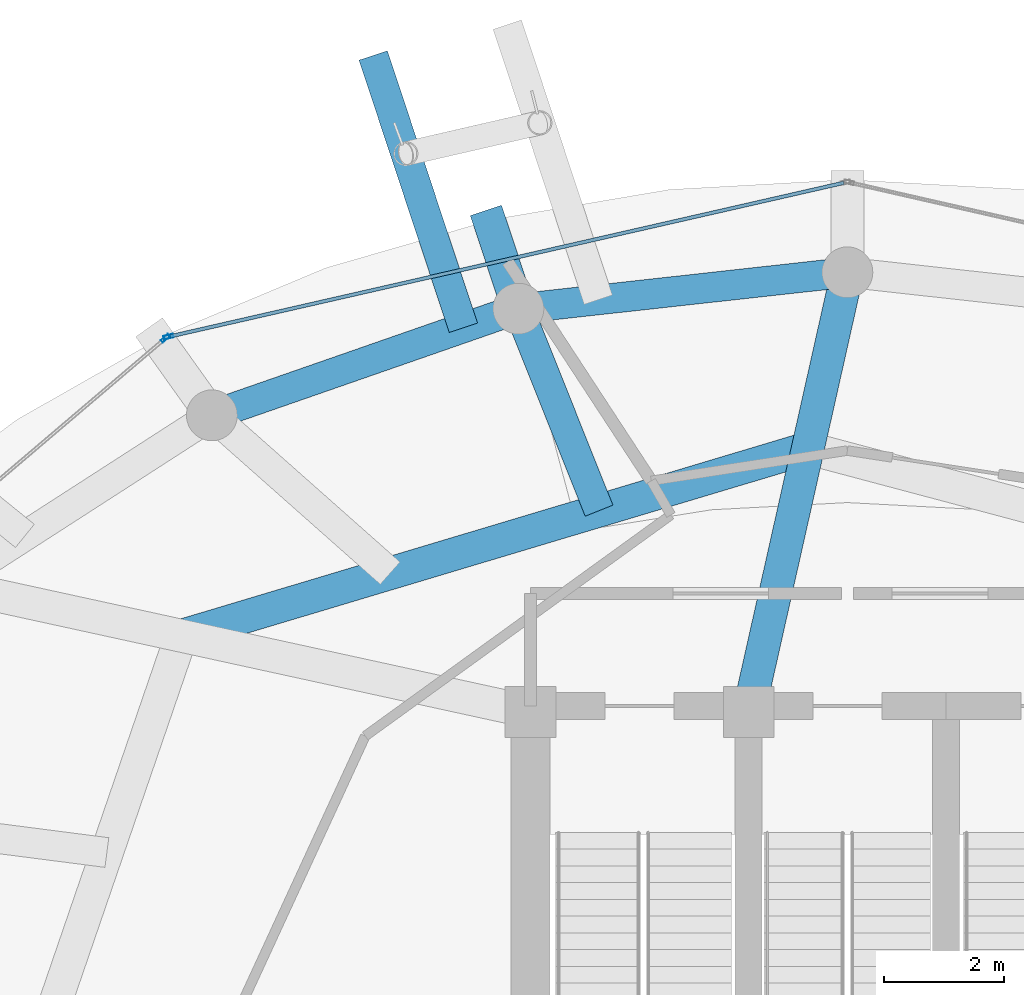
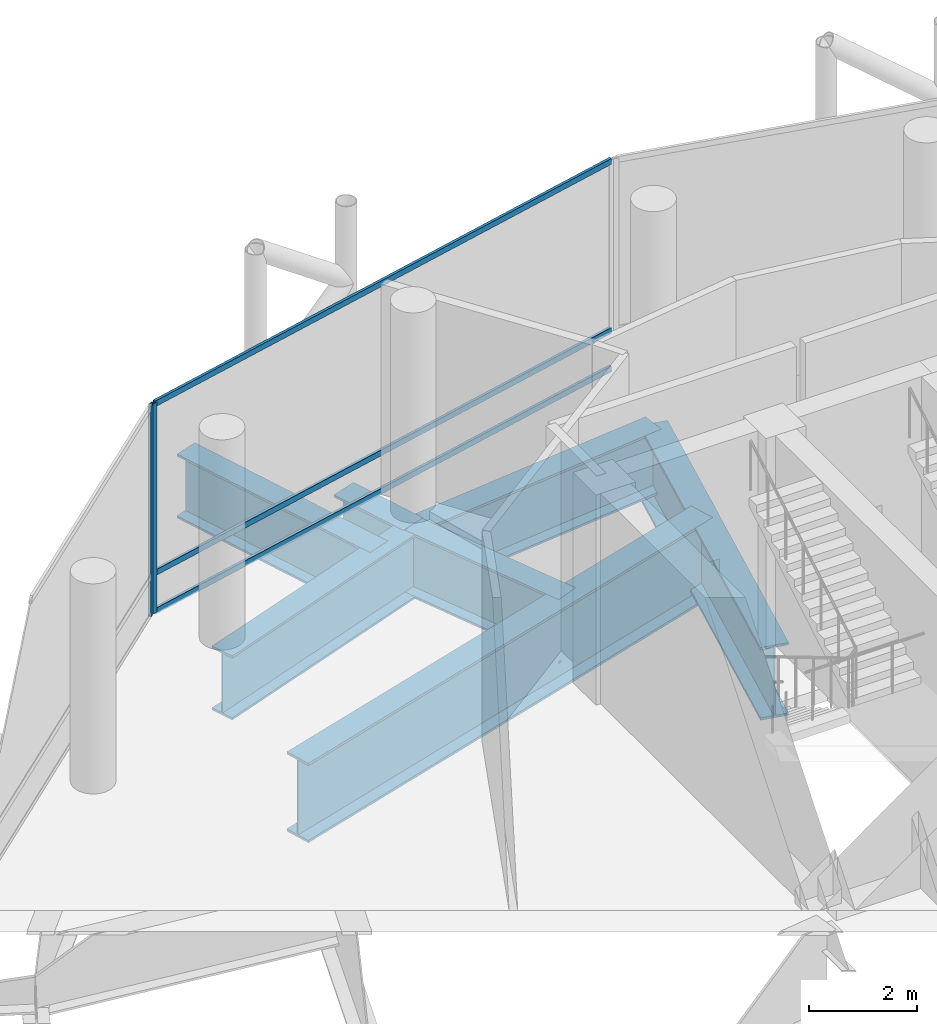
# One storey, part 18 of 31: 7 beams, 5 members, 2 elements without a shape of their own.
"""IFC4 building model written with IfcOpenShell, lengths in metres."""

from ifc_helpers import new_model, si_unit, direction, frame, origin, origin_2d, place, context, subcontext, project, spatial, hollow_rectangle, i_section, extrude, material, layer, layer_set, material_profile, profile_set, type_object, element, aggregate, save


model = new_model("IFC4")

# Units and contexts
model_context = context("Model", 3, precision=1e-05, world=origin(), true_north=direction((0.0, 1.0)))
body_context = subcontext(model_context, "Body", "Model", "MODEL_VIEW")
ifc_project = project(units=[si_unit("LENGTHUNIT", "METRE"), si_unit("AREAUNIT", "SQUARE_METRE"), si_unit("VOLUMEUNIT", "CUBIC_METRE"), si_unit("PLANEANGLEUNIT", "RADIAN"), si_unit("MASSUNIT", "GRAM", prefix="KILO")], contexts=[model_context])

# Site, building, storey
site_placement = place(None, origin())
site = spatial("IfcSite", under=ifc_project, at=site_placement, CompositionType="ELEMENT")
building_placement = place(site_placement, origin())
building = spatial("IfcBuilding", under=site, at=building_placement, Name="Nuhasar Tower", CompositionType="ELEMENT")
storey_placement = place(building_placement, frame((0.0, 0.0, 203.14990234375)))
storey = spatial("IfcBuildingStorey", under=building, at=storey_placement, Name="L49", CompositionType="ELEMENT", Elevation=203.14990234375)

# Beams
ifc_material_1 = material(Name="Steel S460", Category="steel")
ifc_material_profile_1 = material_profile(ifc_material_1, i_section(OverallWidth=0.550048828125, OverallDepth=1.35009765625, WebThickness=0.028076171875, FlangeThickness=0.050048828125, at=origin_2d()), Name="PG1350X550")
ifc_profile_set_1 = profile_set([ifc_material_profile_1], Name="Steel S460")
beam_type_1 = type_object("IfcBeamType", Name="BM-XFER-PG1350", PredefinedType="USERDEFINED", material=ifc_profile_set_1)
beam_1_placement = place(storey_placement, frame((33.5, 44.0419921875, -0.994873046875), z_axis=(-0.313940053742, 0.949442806417, 0.0), x_axis=(-0.949442806417, -0.313940053742, 0.0)))
element("IfcBeam", 1, at=beam_1_placement, inside=storey, type_object=beam_type_1, Name="L49 Outer Column Step Transfer Girder 08", ObjectType="GIRDER", PredefinedType="USERDEFINED", context=body_context, shape_type="SweptSolid", body=[
    extrude(i_section(OverallWidth=0.550048828125, OverallDepth=1.35009765625, WebThickness=0.028076171875, FlangeThickness=0.050048828125, at=origin_2d()), origin(), (0.0, 0.0, 1.0), 1.7294921875),
])
ifc_material_profile_2 = material_profile(ifc_material_1, i_section(OverallWidth=0.5, OverallDepth=1.449951171875, WebThickness=0.028076171875, FlangeThickness=0.050048828125, at=origin_2d()), Name="PG1450X500")
ifc_profile_set_2 = profile_set([ifc_material_profile_2], Name="Steel S460")
beam_type_2 = type_object("IfcBeamType", Name="BM-XFER-PG1450", PredefinedType="USERDEFINED", material=ifc_profile_set_2)
beam_2_placement = place(storey_placement, frame((39.0, 44.64990234375, -1.044921875), z_axis=(-0.993947060915, -0.109860093292, 0.0), x_axis=(0.109860093292, -0.993947060915, 0.0)))
element("IfcBeam", 2, at=beam_2_placement, inside=storey, type_object=beam_type_2, Name="L49 Perimeter Ring Spandrel 07", ObjectType="GIRDER", PredefinedType="USERDEFINED", context=body_context, shape_type="SweptSolid", body=[
    extrude(i_section(OverallWidth=0.5, OverallDepth=1.449951171875, WebThickness=0.028076171875, FlangeThickness=0.050048828125, at=origin_2d()), origin(), (0.0, 0.0, 1.0), 5.533447265625),
])
beam_3_placement = place(storey_placement, frame((33.5, 44.0419921875, -1.044921875), z_axis=(-0.944476764686, -0.328578211342, 0.0), x_axis=(0.328578211342, -0.944476764686, 0.0)))
element("IfcBeam", 3, at=beam_3_placement, inside=storey, type_object=beam_type_2, Name="L49 Perimeter Ring Spandrel 08", ObjectType="GIRDER", PredefinedType="USERDEFINED", context=body_context, shape_type="SweptSolid", body=[
    extrude(i_section(OverallWidth=0.5, OverallDepth=1.449951171875, WebThickness=0.028076171875, FlangeThickness=0.050048828125, at=origin_2d()), origin(), (0.0, 0.0, 1.0), 5.42626953125),
])
beam_4_placement = place(storey_placement, frame((34.847900390625, 40.6640625, -1.044921875), z_axis=(-0.370615099734, 0.928786545902, 0.0), x_axis=(-0.928786545902, -0.370615099734, 0.0)))
element("IfcBeam", 4, at=beam_4_placement, inside=storey, type_object=beam_type_2, Name="L49 Inner Column Transfer Girder 08", ObjectType="GIRDER", PredefinedType="USERDEFINED", context=body_context, shape_type="SweptSolid", body=[
    extrude(i_section(OverallWidth=0.5, OverallDepth=1.449951171875, WebThickness=0.028076171875, FlangeThickness=0.050048828125, at=origin_2d()), origin(), (0.0, 0.0, 1.0), 3.636962890625),
])
beam_5_placement = place(storey_placement, frame((32.580078125, 43.721923828125, -1.044921875), z_axis=(-0.314364482033, 0.949302360914, 0.0), x_axis=(-0.949302360914, -0.314364482033, 0.0)))
element("IfcBeam", 5, at=beam_5_placement, inside=storey, type_object=beam_type_2, Name="L49 Exoskeleton Step Transfer Girder 08", ObjectType="GIRDER", PredefinedType="USERDEFINED", context=body_context, shape_type="SweptSolid", body=[
    extrude(i_section(OverallWidth=0.5, OverallDepth=1.449951171875, WebThickness=0.028076171875, FlangeThickness=0.050048828125, at=origin_2d()), origin(), (0.0, 0.0, 1.0), 4.797119140625),
])
ifc_material_profile_3 = material_profile(ifc_material_1, i_section(OverallWidth=0.550048828125, OverallDepth=1.64990234375, WebThickness=0.031982421875, FlangeThickness=0.054931640625, at=origin_2d()), Name="PG1650X550")
ifc_profile_set_3 = profile_set([ifc_material_profile_3], Name="Steel S460")
beam_type_3 = type_object("IfcBeamType", Name="BM-XFER-PG1650", PredefinedType="USERDEFINED", material=ifc_profile_set_3)
beam_6_placement = place(storey_placement, frame((37.35009765625, 37.300048828125, -1.14501953125), z_axis=(0.219030156142, 0.975718089768, 0.0), x_axis=(-0.975718089768, 0.219030156142, 0.0)))
element("IfcBeam", 6, at=beam_6_placement, inside=storey, type_object=beam_type_3, Name="L49 Radial Floor Girder 06", ObjectType="GIRDER", PredefinedType="USERDEFINED", context=body_context, shape_type="SweptSolid", body=[
    extrude(i_section(OverallWidth=0.550048828125, OverallDepth=1.64990234375, WebThickness=0.031982421875, FlangeThickness=0.054931640625, at=origin_2d()), origin(), (0.0, 0.0, 1.0), 7.53271484375),
])
ifc_material_profile_4 = material_profile(ifc_material_1, i_section(OverallWidth=0.550048828125, OverallDepth=1.800048828125, WebThickness=0.031982421875, FlangeThickness=0.054931640625, at=origin_2d()), Name="PG1800X550")
ifc_profile_set_4 = profile_set([ifc_material_profile_4], Name="Steel S460")
beam_type_4 = type_object("IfcBeamType", Name="BM-XFER-PG1800", PredefinedType="USERDEFINED", material=ifc_profile_set_4)
beam_7_placement = place(storey_placement, frame((38.340087890625, 41.7099609375, -1.219970703125), z_axis=(-0.957973628187, -0.28685628405, 0.0), x_axis=(0.28685628405, -0.957973628187, 0.0)))
element("IfcBeam", 7, at=beam_7_placement, inside=storey, type_object=beam_type_4, Name="L49 Inner Header Beam 06", ObjectType="GIRDER", PredefinedType="USERDEFINED", context=body_context, shape_type="SweptSolid", body=[
    extrude(i_section(OverallWidth=0.550048828125, OverallDepth=1.800048828125, WebThickness=0.031982421875, FlangeThickness=0.054931640625, at=origin_2d()), origin(), (0.0, 0.0, 1.0), 10.935546875),
])

# Curtain wall, member
ifc_material_2 = material(Name="Aluminium 6063-T6", Category="aluminium")
ifc_layer = layer(ifc_material_2, 0.239990234375)
ifc_layer_set = layer_set([ifc_layer], Name="Aluminium 6063-T6")
curtain_wall_type = type_object("IfcCurtainWallType", Name="CW-SKY-LBY", PredefinedType="NOTDEFINED", material=ifc_layer_set)
curtain_wall_1_placement = place(storey_placement, origin())
curtain_wall_1 = element("IfcCurtainWall", 8, at=curtain_wall_1_placement, inside=storey, type_object=curtain_wall_type, Name="L49 Unitised Curtain Wall 04", PredefinedType="NOTDEFINED")
ifc_material_profile_5 = material_profile(ifc_material_2, hollow_rectangle(XDim=0.06005859375, YDim=0.159912109375, WallThickness=0.0048828125, at=origin_2d()), Name="CWM-6")
ifc_profile_set_5 = profile_set([ifc_material_profile_5], Name="Aluminium 6063-T6")
member_type_1 = type_object("IfcMemberType", Name="CW-MUL-S6", PredefinedType="MULLION", material=ifc_profile_set_5)
member_1_placement = place(storey_placement, frame((27.649169921875, 43.57275390625, 0.0), z_axis=(0.0, 0.0, 1.0), x_axis=(0.222243176313, -0.974991266926, 0.0)))
member_1 = element("IfcMember", 9, at=member_1_placement, type_object=member_type_1, Name="CW-SL mullion 2", PredefinedType="MULLION", context=body_context, shape_type="SweptSolid", body=[
    extrude(hollow_rectangle(XDim=0.06005859375, YDim=0.159912109375, WallThickness=0.0048828125, at=origin_2d()), origin(), (0.0, 0.0, 1.0), 4.760009765625),
])

curtain_wall_2_placement = place(storey_placement, origin())
curtain_wall_2 = element("IfcCurtainWall", 10, at=curtain_wall_2_placement, inside=storey, type_object=curtain_wall_type, Name="L49 Unitised Curtain Wall 05", PredefinedType="NOTDEFINED")
member_2_placement = place(storey_placement, frame((27.59716796875, 43.546630859375, 0.0), z_axis=(0.0, 0.0, 1.0), x_axis=(0.64789521578, -0.761729472562, 0.0)))
member_2 = element("IfcMember", 11, at=member_2_placement, type_object=member_type_1, Name="CW-SL mullion 1", PredefinedType="MULLION", context=body_context, shape_type="SweptSolid", body=[
    extrude(hollow_rectangle(XDim=0.06005859375, YDim=0.159912109375, WallThickness=0.0048828125, at=origin_2d()), origin(), (0.0, 0.0, 1.0), 4.760009765625),
])
aggregate(curtain_wall_2, [member_2])

# Member
ifc_material_profile_6 = material_profile(ifc_material_2, hollow_rectangle(XDim=0.06005859375, YDim=0.1298828125, WallThickness=0.00439453125, at=origin_2d()), Name="CWT-6")
ifc_profile_set_6 = profile_set([ifc_material_profile_6], Name="Aluminium 6063-T6")
member_type_2 = type_object("IfcMemberType", Name="CW-TRN-S6", PredefinedType="USERDEFINED", material=ifc_profile_set_6)
member_3_placement = place(storey_placement, frame((38.94140625, 46.146728515625, 0.030029296875), z_axis=(-0.974990028275, -0.222248610265, 0.0), x_axis=(0.222248610265, -0.974990028275, 0.0)))
member_3 = element("IfcMember", 12, at=member_3_placement, type_object=member_type_2, Name="CW-SL transom 1.1", ObjectType="TRANSOM", PredefinedType="USERDEFINED", context=body_context, shape_type="SweptSolid", body=[
    extrude(hollow_rectangle(XDim=0.06005859375, YDim=0.1298828125, WallThickness=0.00439453125, at=origin_2d()), origin(), (0.0, 0.0, 1.0), 11.5517578125),
])

member_4_placement = place(storey_placement, frame((38.94140625, 46.146728515625, 0.900146484375), z_axis=(-0.974990028275, -0.222248610265, 0.0), x_axis=(0.222248610265, -0.974990028275, 0.0)))
member_4 = element("IfcMember", 13, at=member_4_placement, type_object=member_type_2, Name="CW-SL transom 1.2", ObjectType="TRANSOM", PredefinedType="USERDEFINED", context=body_context, shape_type="SweptSolid", body=[
    extrude(hollow_rectangle(XDim=0.06005859375, YDim=0.1298828125, WallThickness=0.00439453125, at=origin_2d()), origin(), (0.0, 0.0, 1.0), 11.5517578125),
])

member_5_placement = place(storey_placement, frame((38.94140625, 46.146728515625, 4.72998046875), z_axis=(-0.974990028275, -0.222248610265, 0.0), x_axis=(0.222248610265, -0.974990028275, 0.0)))
member_5 = element("IfcMember", 14, at=member_5_placement, type_object=member_type_2, Name="CW-SL transom 1.3", ObjectType="TRANSOM", PredefinedType="USERDEFINED", context=body_context, shape_type="SweptSolid", body=[
    extrude(hollow_rectangle(XDim=0.06005859375, YDim=0.1298828125, WallThickness=0.00439453125, at=origin_2d()), origin(), (0.0, 0.0, 1.0), 11.5517578125),
])

aggregate(curtain_wall_1, [member_1, member_3, member_4, member_5])

save(model, "model.ifc")
